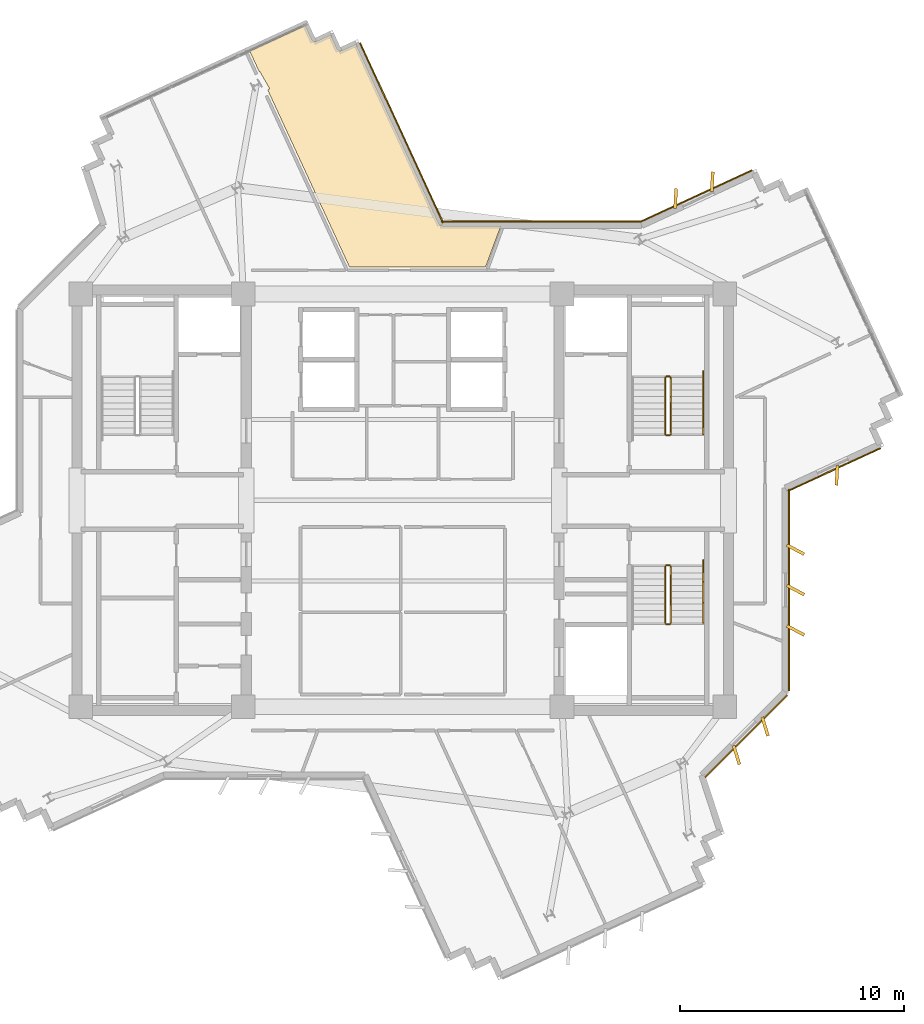
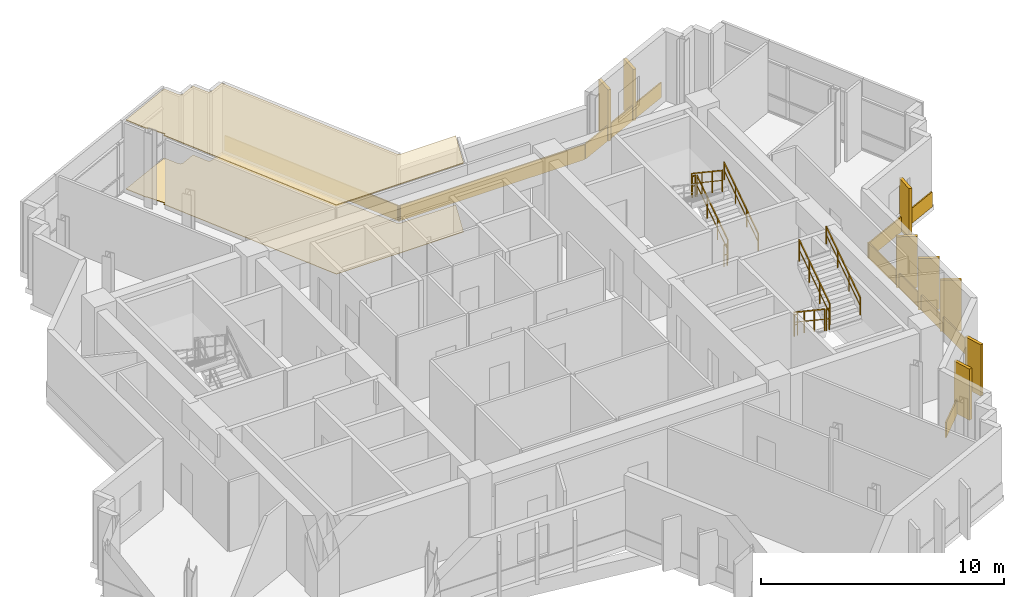
# One storey, part 12 of 12: 16 coverings, 10 railings.
"""IFC4 building model written with IfcOpenShell, lengths in metres."""

from ifc_helpers import new_model, si_unit, direction, frame, origin, origin_2d, place, context, subcontext, project, spatial, polyline, rectangle, outline, extrude, source, transform, mapped, material, layer, layer_set, type_object, element, save


model = new_model("IFC4")

# Units and contexts
model_context = context("Model", 3, precision=1e-05, world=origin(), true_north=direction((0.0, 1.0)))
body_context = subcontext(model_context, "Body", "Model", "MODEL_VIEW")
ifc_project = project(units=[si_unit("LENGTHUNIT", "METRE"), si_unit("AREAUNIT", "SQUARE_METRE"), si_unit("VOLUMEUNIT", "CUBIC_METRE"), si_unit("PLANEANGLEUNIT", "RADIAN"), si_unit("MASSUNIT", "GRAM", prefix="KILO")], contexts=[model_context])

# Site, building, storey
site_placement = place(None, origin())
site = spatial("IfcSite", under=ifc_project, at=site_placement, CompositionType="ELEMENT")
building_placement = place(site_placement, origin())
building = spatial("IfcBuilding", under=site, at=building_placement, Name="Zahravan Cultural Tower", CompositionType="ELEMENT")
storey_placement = place(building_placement, frame((0.0, 0.0, 242.85009765625)))
storey = spatial("IfcBuildingStorey", under=building, at=storey_placement, Name="L57", CompositionType="ELEMENT", Elevation=242.85009765625)

# Coverings
ifc_material_1 = material(Name="Acoustic mineral fibreboard")
ifc_layer_1 = layer(ifc_material_1, 0.0400390625)
ifc_layer_set_1 = layer_set([ifc_layer_1], Name="Acoustic mineral fibreboard")
covering_type_1 = type_object("IfcCoveringType", Name="COV-CEIL-AC20", PredefinedType="CEILING", material=ifc_layer_set_1)
covering_1_placement = place(storey_placement, frame((0.0, 0.0, 3.4599609375)))
element("IfcCovering", 1, at=covering_1_placement, inside=storey, type_object=covering_type_1, Name="L57 Acoustic Suspended Ceiling", PredefinedType="CEILING", context=body_context, shape_type="SweptSolid", body=[
    extrude(outline(polyline([(29.62890625, 46.115234375), (30.06884765625, 45.353271484375), (29.978271484375, 45.301025390625), (33.629150390625, 37.39990234375), (39.691650390625, 37.39990234375), (40.37841796875, 39.239990234375), (37.753662109375, 39.239990234375), (37.701416015625, 39.25), (37.650146484375, 39.28271484375), (37.619140625, 39.325927734375), (33.915283203125, 47.341552734375), (33.2802734375, 47.048095703125), (33.212646484375, 47.03515625), (33.13720703125, 47.058837890625), (33.086181640625, 47.110595703125), (32.787353515625, 47.756591796875), (32.15380859375, 47.464111328125), (32.100341796875, 47.451171875), (32.0380859375, 47.460693359375), (31.984130859375, 47.493896484375), (31.951904296875, 47.5380859375), (31.6591796875, 48.171630859375), (29.180908203125, 47.026611328125), (29.607666015625, 46.10302734375), (29.62890625, 46.115234375)])), origin(), (0.0, 0.0, 1.0), 0.0400390625),
])
ifc_material_2 = material(Name="Terrazzo flooring")
ifc_layer_2 = layer(ifc_material_2, 0.02490234375)
ifc_layer_set_2 = layer_set([ifc_layer_2], Name="Terrazzo flooring")
covering_type_2 = type_object("IfcCoveringType", Name="COV-FLR-TZ25", PredefinedType="FLOORING", material=ifc_layer_set_2)
covering_2_placement = place(storey_placement, origin())
element("IfcCovering", 2, at=covering_2_placement, inside=storey, type_object=covering_type_2, Name="L57 Polished Terrazzo Flooring", PredefinedType="FLOORING", context=body_context, shape_type="SweptSolid", body=[
    extrude(outline(polyline([(29.62890625, 46.115234375), (30.06884765625, 45.353271484375), (29.978271484375, 45.301025390625), (33.629150390625, 37.39990234375), (39.691650390625, 37.39990234375), (40.37841796875, 39.239990234375), (37.753662109375, 39.239990234375), (37.701416015625, 39.25), (37.650146484375, 39.28271484375), (37.619140625, 39.325927734375), (33.915283203125, 47.341552734375), (33.2802734375, 47.048095703125), (33.212646484375, 47.03515625), (33.13720703125, 47.058837890625), (33.086181640625, 47.110595703125), (32.787353515625, 47.756591796875), (32.15380859375, 47.464111328125), (32.100341796875, 47.451171875), (32.0380859375, 47.460693359375), (31.984130859375, 47.493896484375), (31.951904296875, 47.5380859375), (31.6591796875, 48.171630859375), (29.180908203125, 47.026611328125), (29.607666015625, 46.10302734375), (29.62890625, 46.115234375)])), origin(), (0.0, 0.0, 1.0), 0.02490234375),
])

# Railings
ifc_material_3 = material(Name="Steel ASTM A572 Grade 50", Category="steel")
railing_type_1 = type_object("IfcRailingType", Name="RL-STAIR-GRD1150", PredefinedType="BALUSTRADE", material=ifc_material_3)
railing_1_placement = place(storey_placement, frame((47.949951171875, 29.949951171875, 0.1875)))
element("IfcRailing", 3, at=railing_1_placement, inside=storey, type_object=railing_type_1, Name="L57 ST-E1 stair guard 1", PredefinedType="BALUSTRADE", context=body_context, shape_type="SweptSolid", body=[
    extrude(rectangle(XDim=0.05, YDim=0.05, at=origin_2d()), frame((0.0, 0.0, 1.0751953125), z_axis=(0.0, 0.830909170722, 0.55640807867), x_axis=(-1.0, 0.0, 0.0)), (0.0, 0.0, 1.0), 3.032958984375),
    extrude(rectangle(XDim=0.032, YDim=0.032, at=origin_2d()), frame((0.0, 0.0, 0.572021484375), z_axis=(0.0, 0.830909170722, 0.55640807867), x_axis=(-1.0, 0.0, 0.0)), (0.0, 0.0, 1.0), 3.032958984375),
    extrude(rectangle(XDim=0.04, YDim=0.04, at=origin_2d()), origin(), (0.0, 0.0, 1.0), 1.10009765625),
    extrude(rectangle(XDim=0.04, YDim=0.04, at=origin_2d()), frame((0.0, 0.840087890625, 0.5625)), (0.0, 0.0, 1.0), 1.10009765625),
    extrude(rectangle(XDim=0.04, YDim=0.04, at=origin_2d()), frame((0.0, 1.679931640625, 1.125)), (0.0, 0.0, 1.0), 1.10009765625),
    extrude(rectangle(XDim=0.04, YDim=0.04, at=origin_2d()), frame((0.0, 2.52001953125, 1.6875)), (0.0, 0.0, 1.0), 1.10009765625),
])
railing_2_placement = place(storey_placement, frame((47.89990234375, 32.52001953125, 1.875)))
element("IfcRailing", 4, at=railing_2_placement, inside=storey, type_object=railing_type_1, Name="L57 ST-E1 stair guard 2", PredefinedType="BALUSTRADE", context=body_context, shape_type="SweptSolid", body=[
    extrude(rectangle(XDim=0.05, YDim=0.05, at=origin_2d()), frame((0.0, 0.0, 1.0751953125), z_axis=(-1.0, 0.0, 0.0), x_axis=(0.0, -1.0, 0.0)), (0.0, 0.0, 1.0), 0.14990234375),
    extrude(rectangle(XDim=0.032, YDim=0.032, at=origin_2d()), frame((0.0, 0.0, 0.572021484375), z_axis=(-1.0, 0.0, 0.0), x_axis=(0.0, -1.0, 0.0)), (0.0, 0.0, 1.0), 0.14990234375),
    extrude(rectangle(XDim=0.04, YDim=0.04, at=origin_2d()), origin(), (0.0, 0.0, 1.0), 1.10009765625),
    extrude(rectangle(XDim=0.04, YDim=0.04, at=origin_2d()), frame((-0.14990234375, 0.0, 0.0)), (0.0, 0.0, 1.0), 1.10009765625),
])
railing_3_placement = place(storey_placement, frame((47.699951171875, 32.469970703125, 2.0625)))
element("IfcRailing", 5, at=railing_3_placement, inside=storey, type_object=railing_type_1, Name="L57 ST-E1 stair guard 3", PredefinedType="BALUSTRADE", context=body_context, shape_type="SweptSolid", body=[
    extrude(rectangle(XDim=0.05, YDim=0.05, at=origin_2d()), frame((0.0, 0.0, 1.0751953125), z_axis=(0.0, -0.830909170722, 0.55640807867), x_axis=(1.0, 0.0, 0.0)), (0.0, 0.0, 1.0), 3.032958984375),
    extrude(rectangle(XDim=0.032, YDim=0.032, at=origin_2d()), frame((0.0, 0.0, 0.572021484375), z_axis=(0.0, -0.830909170722, 0.55640807867), x_axis=(1.0, 0.0, 0.0)), (0.0, 0.0, 1.0), 3.032958984375),
    extrude(rectangle(XDim=0.04, YDim=0.04, at=origin_2d()), origin(), (0.0, 0.0, 1.0), 1.10009765625),
    extrude(rectangle(XDim=0.04, YDim=0.04, at=origin_2d()), frame((0.0, -0.840087890625, 0.5625)), (0.0, 0.0, 1.0), 1.10009765625),
    extrude(rectangle(XDim=0.04, YDim=0.04, at=origin_2d()), frame((0.0, -1.679931640625, 1.125)), (0.0, 0.0, 1.0), 1.10009765625),
    extrude(rectangle(XDim=0.04, YDim=0.04, at=origin_2d()), frame((0.0, -2.52001953125, 1.6875)), (0.0, 0.0, 1.0), 1.10009765625),
])
railing_4_placement = place(storey_placement, frame((47.89990234375, 29.89990234375, 0.0)))
element("IfcRailing", 6, at=railing_4_placement, inside=storey, type_object=railing_type_1, Name="L57 ST-E1 stair guard 4", PredefinedType="BALUSTRADE", context=body_context, shape_type="SweptSolid", body=[
    extrude(rectangle(XDim=0.05, YDim=0.05, at=origin_2d()), frame((0.0, 0.0, 1.0751953125), z_axis=(-1.0, 0.0, 0.0), x_axis=(0.0, -1.0, 0.0)), (0.0, 0.0, 1.0), 0.14990234375),
    extrude(rectangle(XDim=0.032, YDim=0.032, at=origin_2d()), frame((0.0, 0.0, 0.572021484375), z_axis=(-1.0, 0.0, 0.0), x_axis=(0.0, -1.0, 0.0)), (0.0, 0.0, 1.0), 0.14990234375),
    extrude(rectangle(XDim=0.04, YDim=0.04, at=origin_2d()), origin(), (0.0, 0.0, 1.0), 1.10009765625),
    extrude(rectangle(XDim=0.04, YDim=0.04, at=origin_2d()), frame((-0.14990234375, 0.0, 0.0)), (0.0, 0.0, 1.0), 1.10009765625),
])
railing_5_placement = place(storey_placement, frame((47.699951171875, 24.050048828125, 0.1875)))
element("IfcRailing", 7, at=railing_5_placement, inside=storey, type_object=railing_type_1, Name="L57 ST-E2 stair guard 1", PredefinedType="BALUSTRADE", context=body_context, shape_type="SweptSolid", body=[
    extrude(rectangle(XDim=0.05, YDim=0.05, at=origin_2d()), frame((0.0, 0.0, 1.0751953125), z_axis=(0.0, -0.830909170722, 0.55640807867), x_axis=(1.0, 0.0, 0.0)), (0.0, 0.0, 1.0), 3.032958984375),
    extrude(rectangle(XDim=0.032, YDim=0.032, at=origin_2d()), frame((0.0, 0.0, 0.572021484375), z_axis=(0.0, -0.830909170722, 0.55640807867), x_axis=(1.0, 0.0, 0.0)), (0.0, 0.0, 1.0), 3.032958984375),
    extrude(rectangle(XDim=0.04, YDim=0.04, at=origin_2d()), origin(), (0.0, 0.0, 1.0), 1.10009765625),
    extrude(rectangle(XDim=0.04, YDim=0.04, at=origin_2d()), frame((0.0, -0.840087890625, 0.5625)), (0.0, 0.0, 1.0), 1.10009765625),
    extrude(rectangle(XDim=0.04, YDim=0.04, at=origin_2d()), frame((0.0, -1.679931640625, 1.125)), (0.0, 0.0, 1.0), 1.10009765625),
    extrude(rectangle(XDim=0.04, YDim=0.04, at=origin_2d()), frame((0.0, -2.52001953125, 1.6875)), (0.0, 0.0, 1.0), 1.10009765625),
])
railing_6_placement = place(storey_placement, frame((47.75, 21.47998046875, 1.875)))
element("IfcRailing", 8, at=railing_6_placement, inside=storey, type_object=railing_type_1, Name="L57 ST-E2 stair guard 2", PredefinedType="BALUSTRADE", context=body_context, shape_type="SweptSolid", body=[
    extrude(rectangle(XDim=0.05, YDim=0.05, at=origin_2d()), frame((0.0, 0.0, 1.0751953125), z_axis=(1.0, 0.0, 0.0), x_axis=(0.0, 1.0, 0.0)), (0.0, 0.0, 1.0), 0.14990234375),
    extrude(rectangle(XDim=0.032, YDim=0.032, at=origin_2d()), frame((0.0, 0.0, 0.572021484375), z_axis=(1.0, 0.0, 0.0), x_axis=(0.0, 1.0, 0.0)), (0.0, 0.0, 1.0), 0.14990234375),
    extrude(rectangle(XDim=0.04, YDim=0.04, at=origin_2d()), origin(), (0.0, 0.0, 1.0), 1.10009765625),
    extrude(rectangle(XDim=0.04, YDim=0.04, at=origin_2d()), frame((0.14990234375, 0.0, 0.0)), (0.0, 0.0, 1.0), 1.10009765625),
])
railing_7_placement = place(storey_placement, frame((47.949951171875, 21.530029296875, 2.0625)))
element("IfcRailing", 9, at=railing_7_placement, inside=storey, type_object=railing_type_1, Name="L57 ST-E2 stair guard 3", PredefinedType="BALUSTRADE", context=body_context, shape_type="SweptSolid", body=[
    extrude(rectangle(XDim=0.05, YDim=0.05, at=origin_2d()), frame((0.0, 0.0, 1.0751953125), z_axis=(0.0, 0.830909170722, 0.55640807867), x_axis=(-1.0, 0.0, 0.0)), (0.0, 0.0, 1.0), 3.032958984375),
    extrude(rectangle(XDim=0.032, YDim=0.032, at=origin_2d()), frame((0.0, 0.0, 0.572021484375), z_axis=(0.0, 0.830909170722, 0.55640807867), x_axis=(-1.0, 0.0, 0.0)), (0.0, 0.0, 1.0), 3.032958984375),
    extrude(rectangle(XDim=0.04, YDim=0.04, at=origin_2d()), origin(), (0.0, 0.0, 1.0), 1.10009765625),
    extrude(rectangle(XDim=0.04, YDim=0.04, at=origin_2d()), frame((0.0, 0.840087890625, 0.5625)), (0.0, 0.0, 1.0), 1.10009765625),
    extrude(rectangle(XDim=0.04, YDim=0.04, at=origin_2d()), frame((0.0, 1.679931640625, 1.125)), (0.0, 0.0, 1.0), 1.10009765625),
    extrude(rectangle(XDim=0.04, YDim=0.04, at=origin_2d()), frame((0.0, 2.52001953125, 1.6875)), (0.0, 0.0, 1.0), 1.10009765625),
])
railing_8_placement = place(storey_placement, frame((47.75, 24.10009765625, 0.0)))
element("IfcRailing", 10, at=railing_8_placement, inside=storey, type_object=railing_type_1, Name="L57 ST-E2 stair guard 4", PredefinedType="BALUSTRADE", context=body_context, shape_type="SweptSolid", body=[
    extrude(rectangle(XDim=0.05, YDim=0.05, at=origin_2d()), frame((0.0, 0.0, 1.0751953125), z_axis=(1.0, 0.0, 0.0), x_axis=(0.0, 1.0, 0.0)), (0.0, 0.0, 1.0), 0.14990234375),
    extrude(rectangle(XDim=0.032, YDim=0.032, at=origin_2d()), frame((0.0, 0.0, 0.572021484375), z_axis=(1.0, 0.0, 0.0), x_axis=(0.0, 1.0, 0.0)), (0.0, 0.0, 1.0), 0.14990234375),
    extrude(rectangle(XDim=0.04, YDim=0.04, at=origin_2d()), origin(), (0.0, 0.0, 1.0), 1.10009765625),
    extrude(rectangle(XDim=0.04, YDim=0.04, at=origin_2d()), frame((0.14990234375, 0.0, 0.0)), (0.0, 0.0, 1.0), 1.10009765625),
])
railing_type_2 = type_object("IfcRailingType", Name="RL-STAIR-HR900", PredefinedType="HANDRAIL", material=ifc_material_3)
for number, where, name in (
    (11, (49.39990234375, 29.949951171875, 0.1875), "L57 ST-E1 stair handrail 1"),
    (12, (49.39990234375, 21.530029296875, 2.0625), "L57 ST-E2 stair handrail 2"),
):
    element("IfcRailing", number, at=place(storey_placement, frame(where)), inside=storey, type_object=railing_type_2, Name=name, PredefinedType="HANDRAIL", context=body_context, shape_type="SweptSolid", body=[
        extrude(rectangle(XDim=0.05, YDim=0.05, at=origin_2d()), frame((0.0, 0.0, 0.875), z_axis=(0.0, 0.830911662861, 0.55640435703), x_axis=(-1.0, 0.0, 0.0)), (0.0, 0.0, 1.0), 3.369873046875),
        extrude(rectangle(XDim=0.032, YDim=0.032, at=origin_2d()), frame((0.0, 0.0, 0.468017578125), z_axis=(0.0, 0.830911662861, 0.55640435703), x_axis=(-1.0, 0.0, 0.0)), (0.0, 0.0, 1.0), 3.369873046875),
        extrude(rectangle(XDim=0.04, YDim=0.04, at=origin_2d()), origin(), (0.0, 0.0, 1.0), 0.89990234375),
        extrude(rectangle(XDim=0.04, YDim=0.04, at=origin_2d()), frame((0.0, 0.933349609375, 0.625)), (0.0, 0.0, 1.0), 0.89990234375),
        extrude(rectangle(XDim=0.04, YDim=0.04, at=origin_2d()), frame((0.0, 1.86669921875, 1.25)), (0.0, 0.0, 1.0), 0.89990234375),
        extrude(rectangle(XDim=0.04, YDim=0.04, at=origin_2d()), frame((0.0, 2.800048828125, 1.875)), (0.0, 0.0, 1.0), 0.89990234375),
    ])

# Coverings
ifc_material_4 = material(Name="Terracotta ceramic cladding", Category="masonry")
ifc_layer_3 = layer(ifc_material_4, 0.06005859375)
ifc_layer_set_3 = layer_set([ifc_layer_3], Name="Terracotta ceramic cladding")
covering_type_3 = type_object("IfcCoveringType", Name="COV-CLAD-TC60", PredefinedType="CLADDING", material=ifc_layer_set_3)
shared_shape_1 = source(origin(), body_context, "Body", "SweptSolid", [
    extrude(rectangle(XDim=5.157958984375, YDim=0.06005859375, at=origin_2d()), origin(), (0.0, 0.0, 1.0), 0.760009765625),
])
covering_3_placement = place(storey_placement, frame((51.317626953125, 16.482421875, 0.02001953125), z_axis=(0.0, 0.0, 1.0), x_axis=(-0.707106781187, -0.707106781187, 0.0)))
element("IfcCovering", 13, at=covering_3_placement, inside=storey, type_object=covering_type_3, Name="L57 Terracotta Spandrel Cladding 12", PredefinedType="CLADDING", context=body_context, shape_type="MappedRepresentation", body=[
    mapped(shared_shape_1, transform((0.0, 0.0, 0.0), x_axis=(1.0, 0.0, 0.0), y_axis=(0.0, 1.0, 0.0), z_axis=(0.0, 0.0, 1.0), scale=1.0)),
])
shared_shape_2 = source(origin(), body_context, "Body", "SweptSolid", [
    extrude(rectangle(XDim=4.544189453125, YDim=0.06005859375, at=origin_2d()), origin(), (0.0, 0.0, 1.0), 0.760009765625),
])
covering_4_placement = place(storey_placement, frame((55.2373046875, 28.37060546875, 0.02001953125), z_axis=(0.0, 0.0, 1.0), x_axis=(-0.907770157575, -0.419467926088, 0.0)))
element("IfcCovering", 14, at=covering_4_placement, inside=storey, type_object=covering_type_3, Name="L57 Terracotta Spandrel Cladding 10", PredefinedType="CLADDING", context=body_context, shape_type="MappedRepresentation", body=[
    mapped(shared_shape_2, transform((0.0, 0.0, 0.0), x_axis=(1.0, 0.0, 0.0), y_axis=(0.0, 1.0, 0.0), z_axis=(0.0, 0.0, 1.0), scale=1.0)),
])
shared_shape_3 = source(origin(), body_context, "Body", "SweptSolid", [
    extrude(rectangle(XDim=5.445068359375, YDim=0.06005859375, at=origin_2d()), origin(), (0.0, 0.0, 1.0), 0.760009765625),
])
covering_5_placement = place(storey_placement, frame((49.102783203125, 40.57275390625, 0.02001953125), z_axis=(0.0, 0.0, 1.0), x_axis=(0.907777478533, 0.419452082446, 0.0)))
element("IfcCovering", 15, at=covering_5_placement, inside=storey, type_object=covering_type_3, Name="L57 Terracotta Spandrel Cladding 01", PredefinedType="CLADDING", context=body_context, shape_type="MappedRepresentation", body=[
    mapped(shared_shape_3, transform((0.0, 0.0, 0.0), x_axis=(1.0, 0.0, 0.0), y_axis=(0.0, 1.0, 0.0), z_axis=(0.0, 0.0, 1.0), scale=1.0)),
])
shared_shape_4 = source(origin(), body_context, "Body", "SweptSolid", [
    extrude(rectangle(XDim=0.8798828125, YDim=0.139892578125, at=origin_2d()), origin(), (0.0, 0.0, 1.0), 2.580078125),
])
for number, where, z_axis, x_axis, name in (
    (16, (48.166259765625, 40.453857421875, 0.0498046875), (0.0, 0.0, 1.0), (0.055821504993, 0.998440764182, 0.0), "L57 Herringbone Terracotta Fin 01"),
    (17, (49.80029296875, 41.208984375, 0.0498046875), (0.0, 0.0, 1.0), (0.055821504993, 0.998440764182, 0.0), "L57 Herringbone Terracotta Fin 02"),
    (18, (55.356689453125, 28.11181640625, 0.0498046875), (0.0, 0.0, 1.0), (-0.055804078906, -0.998441738299, 0.0), "L57 Herringbone Terracotta Fin 03"),
    (19, (53.510009765625, 24.802001953125, 0.0498046875), (0.0, 0.0, 1.0), (0.882947592859, -0.469471562786, 0.0), "L57 Herringbone Terracotta Fin 04"),
    (20, (53.510009765625, 23.002197265625, 0.0498046875), (0.0, 0.0, 1.0), (0.882947592859, -0.469471562786, 0.0), "L57 Herringbone Terracotta Fin 05"),
    (21, (53.510009765625, 21.2021484375, 0.0498046875), (0.0, 0.0, 1.0), (0.882947592859, -0.469471562786, 0.0), "L57 Herringbone Terracotta Fin 06"),
    (22, (52.155517578125, 16.917236328125, 0.0498046875), (0.0, 0.0, 1.0), (0.292371704723, -0.956304755963, 0.0), "L57 Herringbone Terracotta Fin 07"),
    (23, (50.8828125, 15.644287109375, 0.0498046875), (0.0, 0.0, 1.0), (0.292371704723, -0.956304755963, 0.0), "L57 Herringbone Terracotta Fin 08"),
):
    element("IfcCovering", number, at=place(storey_placement, frame(where, z_axis=z_axis, x_axis=x_axis)), inside=storey, type_object=covering_type_3, Name=name, PredefinedType="CLADDING", context=body_context, shape_type="MappedRepresentation", body=[
        mapped(shared_shape_4, transform((0.0, 0.0, 0.0), x_axis=(1.0, 0.0, 0.0), y_axis=(0.0, 1.0, 0.0), z_axis=(0.0, 0.0, 1.0), scale=1.0)),
    ])
shared_shape_5 = source(origin(), body_context, "Body", "SweptSolid", [
    extrude(rectangle(XDim=8.98828125, YDim=0.06005859375, at=origin_2d()), origin(), (0.0, 0.0, 1.0), 0.760009765625),
])
covering_6_placement = place(storey_placement, frame((53.22509765625, 23.002197265625, 0.02001953125), z_axis=(0.0, 0.0, 1.0), x_axis=(0.0, -1.0, 0.0)))
element("IfcCovering", 24, at=covering_6_placement, inside=storey, type_object=covering_type_3, Name="L57 Terracotta Spandrel Cladding 11", PredefinedType="CLADDING", context=body_context, shape_type="MappedRepresentation", body=[
    mapped(shared_shape_5, transform((0.0, 0.0, 0.0), x_axis=(1.0, 0.0, 0.0), y_axis=(0.0, 1.0, 0.0), z_axis=(0.0, 0.0, 1.0), scale=1.0)),
])
shared_shape_6 = source(origin(), body_context, "Body", "SweptSolid", [
    extrude(rectangle(XDim=8.831787109375, YDim=0.06005859375, at=origin_2d()), origin(), (0.0, 0.0, 1.0), 0.760009765625),
])
covering_7_placement = place(storey_placement, frame((35.9482421875, 43.38330078125, 0.02001953125), z_axis=(0.0, 0.0, 1.0), x_axis=(0.419452082446, -0.907777478533, 0.0)))
element("IfcCovering", 25, at=covering_7_placement, inside=storey, type_object=covering_type_3, Name="L57 Terracotta Spandrel Cladding 47", PredefinedType="CLADDING", context=body_context, shape_type="MappedRepresentation", body=[
    mapped(shared_shape_6, transform((0.0, 0.0, 0.0), x_axis=(1.0, 0.0, 0.0), y_axis=(0.0, 1.0, 0.0), z_axis=(0.0, 0.0, 1.0), scale=1.0)),
])
shared_shape_7 = source(origin(), body_context, "Body", "SweptSolid", [
    extrude(rectangle(XDim=8.883544921875, YDim=0.06005859375, at=origin_2d()), origin(), (0.0, 0.0, 1.0), 0.760009765625),
])
covering_8_placement = place(storey_placement, frame((42.163330078125, 39.425048828125, 0.02001953125), z_axis=(0.0, 0.0, 1.0), x_axis=(1.0, 0.0, 0.0)))
element("IfcCovering", 26, at=covering_8_placement, inside=storey, type_object=covering_type_3, Name="L57 Terracotta Spandrel Cladding 48", PredefinedType="CLADDING", context=body_context, shape_type="MappedRepresentation", body=[
    mapped(shared_shape_7, transform((0.0, 0.0, 0.0), x_axis=(1.0, 0.0, 0.0), y_axis=(0.0, 1.0, 0.0), z_axis=(0.0, 0.0, 1.0), scale=1.0)),
])

save(model, "model.ifc")
